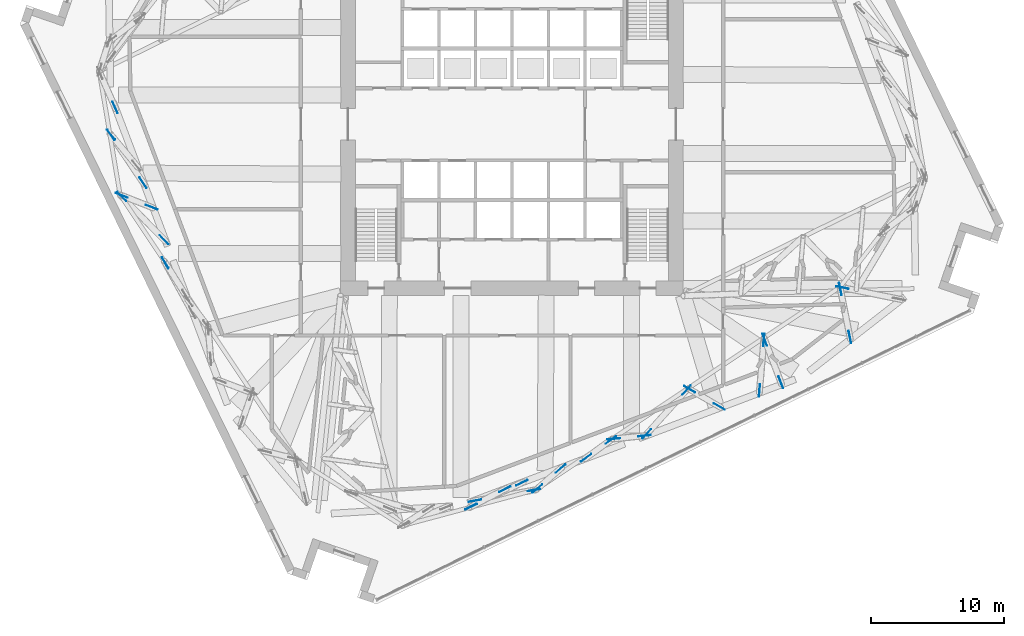
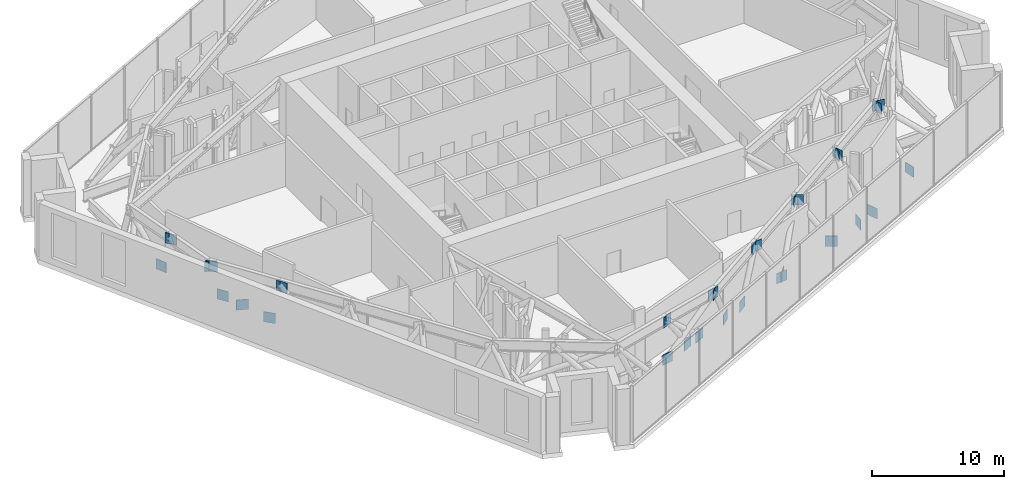
# One storey, part 16 of 21: 33 discrete accessories.
"""IFC4 building model written with IfcOpenShell, lengths in metres."""

from ifc_helpers import new_model, si_unit, direction, frame, origin, origin_2d, place, context, subcontext, project, spatial, rectangle, extrude, material, layer, layer_set, type_object, element, save


model = new_model("IFC4")

# Units and contexts
model_context = context("Model", 3, precision=1e-05, world=origin(), true_north=direction((0.0, 1.0)))
body_context = subcontext(model_context, "Body", "Model", "MODEL_VIEW")
ifc_project = project(units=[si_unit("LENGTHUNIT", "METRE"), si_unit("AREAUNIT", "SQUARE_METRE"), si_unit("VOLUMEUNIT", "CUBIC_METRE"), si_unit("PLANEANGLEUNIT", "RADIAN"), si_unit("MASSUNIT", "GRAM", prefix="KILO")], contexts=[model_context])

# Site, building, storey
site_placement = place(None, origin())
site = spatial("IfcSite", under=ifc_project, at=site_placement, CompositionType="ELEMENT")
building_placement = place(site_placement, origin())
building = spatial("IfcBuilding", under=site, at=building_placement, Name="Dilmun Exchange Tower", CompositionType="ELEMENT")
storey_placement = place(building_placement, frame((0.0, 0.0, 130.10009765625)))
storey = spatial("IfcBuildingStorey", under=building, at=storey_placement, Name="L30", CompositionType="ELEMENT", Elevation=130.10009765625)

# Discrete accessories
ifc_material = material(Name="Steel S355J2", Category="steel")
ifc_layer = layer(ifc_material, 0.034912109375)
ifc_layer_set = layer_set([ifc_layer], Name="Steel S355J2")
discrete_accessory_type = type_object("IfcDiscreteAccessoryType", Name="Gusset plate 35 x 950 x 950", PredefinedType="BRACKET", material=ifc_layer_set)
for number, where, z_axis, x_axis, name in (
    (1, (-29.881591796875, 1.263671875, 0.2158203125), (0.0, 0.0, 1.0), (0.403106100773, -0.915153250292, 0.0), "Gusset plate L30-DG17 end 2"),
    (2, (-30.200439453125, -0.77880859375, 4.03466796875), (0.0, 0.0, 1.0), (0.636631566291, -0.771168106707, 0.0), "Gusset plate L30-DG19 end 1"),
    (3, (-30.19580078125, -0.8115234375, 4.0625), (0.0, 0.0, 1.0), (0.559040965011, -0.829140036085, 0.0), "Gusset plate L30-DG20 end 1"),
    (4, (-27.779541015625, -4.39501953125, 0.18359375), (0.0, 0.0, 1.0), (0.559040965011, -0.829140036085, 0.0), "Gusset plate L30-DG20 end 2"),
    (5, (-29.38330078125, -5.441162109375, 4.06689453125), (0.0, 0.0, 1.0), (0.700169442781, -0.713976716284, 0.0), "Gusset plate L30-DG21 end 1"),
    (6, (-26.188232421875, -8.69921875, 0.1787109375), (0.0, 0.0, 1.0), (0.700169442781, -0.713976716284, 0.0), "Gusset plate L30-DG21 end 2"),
    (7, (-29.39111328125, -5.35888671875, 4.0205078125), (0.0, 0.0, 1.0), (0.930204402304, -0.367041918498, 0.0), "Gusset plate L30-DG22 end 1"),
    (8, (-27.137451171875, -6.248291015625, 0.22509765625), (0.0, 0.0, 1.0), (0.930204402304, -0.367041918498, 0.0), "Gusset plate L30-DG22 end 2"),
    (9, (-26.11865234375, -10.40576171875, 4.0322265625), (0.0, 0.0, 1.0), (0.532354834322, -0.846521311234, 0.0), "Gusset plate L30-DG23 end 1"),
    (10, (-26.111328125, -10.437255859375, 4.060546875), (0.0, 0.0, 1.0), (0.480074992403, -0.877227451502, 0.0), "Gusset plate L30-DG24 end 1"),
    (11, (-3.101806640625, -28.801513671875, 4.03125), (0.0, 0.0, 1.0), (0.888788476488, 0.458317623556, 0.0), "Gusset plate L30-DG35 end 1"),
    (12, (-0.5380859375, -27.479248046875, 0.21435546875), (0.0, 0.0, 1.0), (0.888788476488, 0.458317623556, 0.0), "Gusset plate L30-DG35 end 2"),
    (13, (-3.07080078125, -28.79248046875, 4.06005859375), (0.0, 0.0, 1.0), (0.904357591935, 0.426775521685, 0.0), "Gusset plate L30-DG36 end 1"),
    (14, (0.74072265625, -26.99365234375, 0.185546875), (0.0, 0.0, 1.0), (0.904357591935, 0.426775521685, 0.0), "Gusset plate L30-DG36 end 2"),
    (15, (1.64111328125, -27.544921875, 4.06591796875), (0.0, 0.0, 1.0), (-0.984022058046, -0.178046592999, 0.0), "Gusset plate L30-DG37 end 1"),
    (16, (-2.787353515625, -28.34619140625, 0.18017578125), (0.0, 0.0, 1.0), (-0.984022058046, -0.178046592999, 0.0), "Gusset plate L30-DG37 end 2"),
    (17, (1.91162109375, -27.43212890625, 4.01806640625), (0.0, 0.0, 1.0), (0.756527283899, 0.65396213095, 0.0), "Gusset plate L30-DG38 end 1"),
    (18, (3.658447265625, -25.922119140625, 0.2275390625), (0.0, 0.0, 1.0), (0.756527283899, 0.65396213095, 0.0), "Gusset plate L30-DG38 end 2"),
    (19, (7.662109375, -23.6865234375, 4.0185546875), (0.0, 0.0, 1.0), (0.994925937507, 0.10061003367, 0.0), "Gusset plate L30-DG39 end 1"),
    (20, (9.988037109375, -23.451171875, 0.22705078125), (0.0, 0.0, 1.0), (0.994925937507, 0.10061003367, 0.0), "Gusset plate L30-DG39 end 2"),
    (21, (7.4384765625, -23.77099609375, 4.017578125), (0.0, 0.0, 1.0), (-0.809996607893, -0.586434561739, 0.0), "Gusset plate L30-DG40 end 1"),
    (22, (5.5810546875, -25.11572265625, 0.22802734375), (0.0, 0.0, 1.0), (-0.809996607893, -0.586434561739, 0.0), "Gusset plate L30-DG40 end 2"),
    (23, (13.135986328125, -20.01953125, 4.06787109375), (0.0, 0.0, 1.0), (-0.6719390683, -0.740606432927, 0.0), "Gusset plate L30-DG41 end 1"),
    (24, (10.14794921875, -23.31298828125, 0.318359375), (0.0, 0.0, 1.0), (-0.6719390683, -0.740606432927, 0.0), "Gusset plate L30-DG41 end 2"),
    (25, (13.373291015625, -19.9521484375, 4.0244140625), (0.0, 0.0, 1.0), (0.864462619846, -0.502697104515, 0.0), "Gusset plate L30-DG42 end 1"),
    (26, (15.6083984375, -21.251708984375, 0.22119140625), (0.0, 0.0, 1.0), (0.864462619846, -0.502697104515, 0.0), "Gusset plate L30-DG42 end 2"),
    (27, (19.034423828125, -16.2197265625, 4.0439453125), (0.0, 0.0, 1.0), (0.353367086018, -0.935484742003, 0.0), "Gusset plate L30-DG43 end 1"),
    (28, (20.250732421875, -19.439453125, 0.20166015625), (0.0, 0.0, 1.0), (0.353367086018, -0.935484742003, 0.0), "Gusset plate L30-DG43 end 2"),
    (29, (18.964111328125, -16.23828125, 4.05224609375), (0.0, 0.0, 1.0), (-0.085328236319, -0.996352895357, 0.0), "Gusset plate L30-DG44 end 1"),
    (30, (18.63720703125, -20.056884765625, 0.193359375), (0.0, 0.0, 1.0), (-0.085328236319, -0.996352895357, 0.0), "Gusset plate L30-DG44 end 2"),
    (31, (24.873046875, -12.29345703125, 4.06298828125), (0.0, 0.0, 1.0), (0.979933750642, -0.199323466639, 0.0), "Gusset plate L30-DG45 end 1"),
    (32, (24.73095703125, -12.4189453125, 4.04931640625), (0.0, 0.0, 1.0), (0.194275441203, -0.980947018419, 0.0), "Gusset plate L30-DG46 end 1"),
    (33, (25.4462890625, -16.031982421875, 0.19677734375), (0.0, 0.0, 1.0), (0.194275441203, -0.980947018419, 0.0), "Gusset plate L30-DG46 end 2"),
):
    element("IfcDiscreteAccessory", number, at=place(storey_placement, frame(where, z_axis=z_axis, x_axis=x_axis)), inside=storey, type_object=discrete_accessory_type, Name=name, PredefinedType="BRACKET", context=body_context, shape_type="SweptSolid", body=[
        extrude(rectangle(XDim=0.949951171875, YDim=0.034912109375, at=origin_2d()), origin(), (0.0, 0.0, 1.0), 0.949951171875),
    ])

save(model, "model.ifc")
